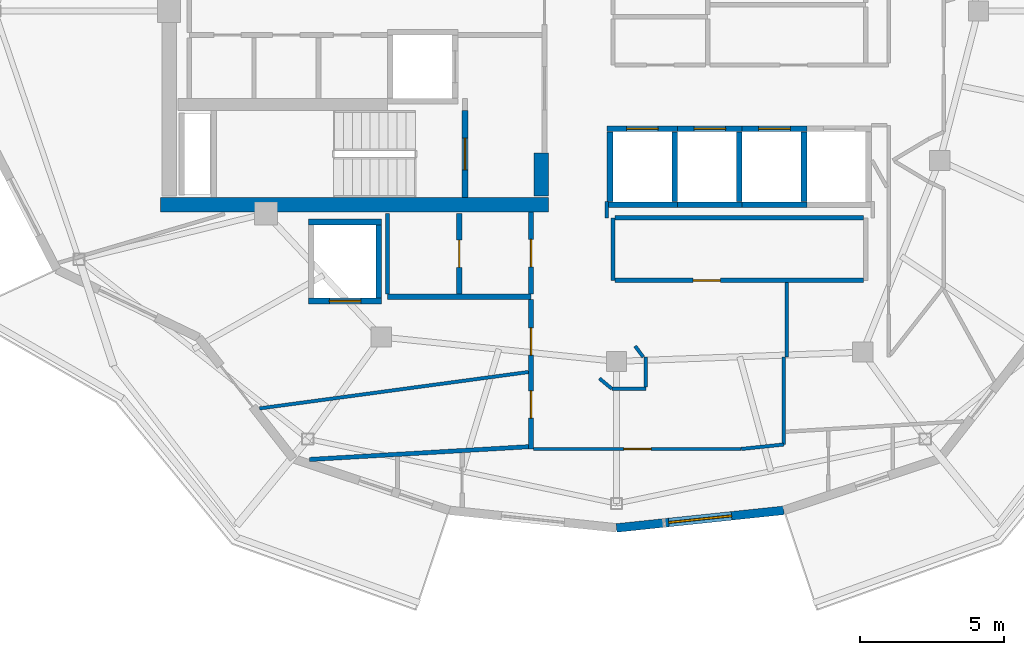
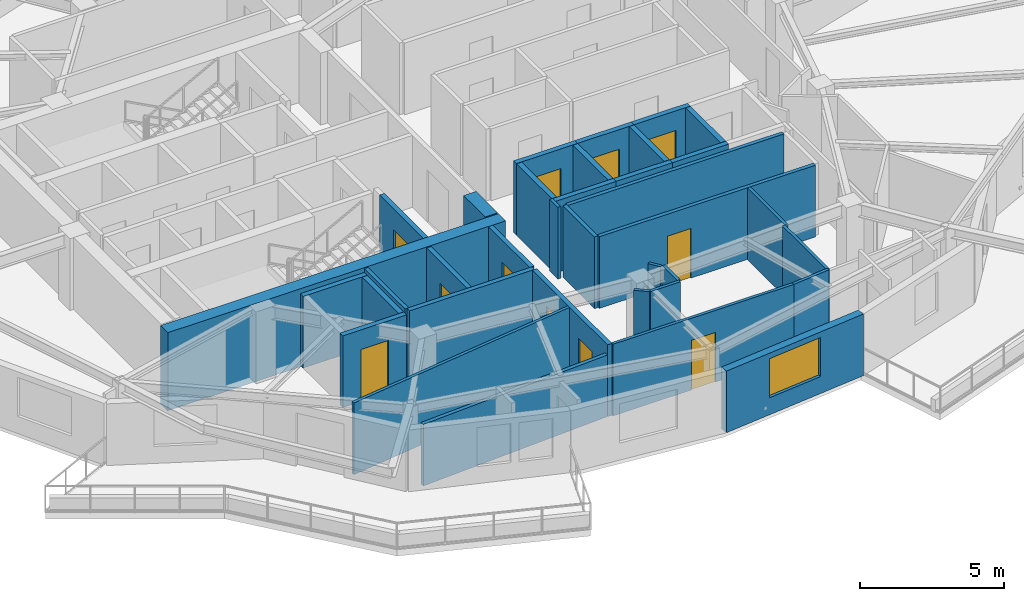
# One storey, part 7 of 14: 36 walls, 11 doors, 1 window, 12 openings.
"""IFC4 building model written with IfcOpenShell, lengths in metres."""

from ifc_helpers import new_model, si_unit, direction, frame, frame_2d, origin, place, context, subcontext, project, spatial, rectangle, extrude, material, layer, layer_set, type_object, element, fill, save


model = new_model("IFC4")

# Units and contexts
model_context = context("Model", 3, precision=1e-05, world=origin(), true_north=direction((0.0, 1.0)))
body_context = subcontext(model_context, "Body", "Model", "MODEL_VIEW")
ifc_project = project(units=[si_unit("LENGTHUNIT", "METRE"), si_unit("AREAUNIT", "SQUARE_METRE"), si_unit("VOLUMEUNIT", "CUBIC_METRE"), si_unit("PLANEANGLEUNIT", "RADIAN"), si_unit("MASSUNIT", "GRAM", prefix="KILO")], contexts=[model_context])

# Site, building, storey
site_placement = place(None, origin())
site = spatial("IfcSite", under=ifc_project, at=site_placement, CompositionType="ELEMENT")
building_placement = place(site_placement, origin())
building = spatial("IfcBuilding", under=site, at=building_placement, Name="Kolvaren Gate Tower and Convention Centre", CompositionType="ELEMENT")
storey_placement = place(building_placement, frame((0.0, 0.0, 245.89990234375)))
storey = spatial("IfcBuildingStorey", under=building, at=storey_placement, Name="L66", CompositionType="ELEMENT", Elevation=245.89990234375)

# Wall
ifc_material_1 = material(Name="Autoclaved Aerated Masonry Blockwork Class 4 (4.0 MPa)", Category="masonry")
ifc_layer_1 = layer(ifc_material_1, 0.179931640625)
ifc_layer_set_1 = layer_set([ifc_layer_1], Name="Autoclaved Aerated Masonry Blockwork Class 4 (4.0 MPa)")
wall_type_1 = type_object("IfcWallType", Name="ARCH-WL-COMP-180", PredefinedType="SOLIDWALL", material=ifc_layer_set_1)
wall_1_placement = place(storey_placement, frame((22.14990234375, 17.050048828125, 0.0), z_axis=(0.0, 0.0, 1.0), x_axis=(1.0, 0.0, 0.0)))
element("IfcWall", 1, at=wall_1_placement, inside=storey, type_object=wall_type_1, Name="Interior Partition WL-L66-INT-011", PredefinedType="SOLIDWALL", context=body_context, shape_type="SweptSolid", body=[
    extrude(rectangle(XDim=5.0, YDim=0.179931640625, at=frame_2d((2.5, 0.0))), origin(), (0.0, 0.0, 1.0), 3.030029296875),
])

# Wall, opening, door
wall_2_placement = place(storey_placement, frame((24.64990234375, 17.14208984375, 0.0), z_axis=(0.0, 0.0, 1.0), x_axis=(0.0, 1.0, 0.0)))
wall_2 = element("IfcWall", 2, at=wall_2_placement, inside=storey, type_object=wall_type_1, Name="Interior Partition WL-L66-INT-013", PredefinedType="SOLIDWALL", context=body_context, shape_type="SweptSolid", body=[
    extrude(rectangle(XDim=2.807861328125, YDim=0.179931640625, at=frame_2d((1.40380859375, 0.0))), origin(), (0.0, 0.0, 1.0), 3.030029296875),
])
opening_1_placement = place(wall_2_placement, frame((0.928955078125, 0.0, 0.0)))
opening_1 = element("IfcOpeningElement", 3, at=opening_1_placement, cuts=wall_2, Name="Opening DR-01", PredefinedType="OPENING", context=body_context, shape_type="SweptSolid", body=[
    extrude(rectangle(XDim=0.949951171875, YDim=2.10009765625, at=frame_2d((0.47509765625, 1.050048828125))), frame((0.0, 0.099853515625, 0.0), z_axis=(0.0, -1.0, 0.0), x_axis=(1.0, 0.0, 0.0)), (0.0, 0.0, 1.0), 0.199951171875),
])
ifc_material_2 = material(Name="Painted Architectural Steelwork ASTM A500 Grade C 345 MPa", Category="steel")
door_type_1 = type_object("IfcDoorType", Name="ARCH-DR-RISER-950", OperationType="SINGLE_SWING_RIGHT", PredefinedType="DOOR", material=ifc_material_2)
door_1_placement = place(opening_1_placement, origin())
door_1 = element("IfcDoor", 4, at=door_1_placement, inside=storey, type_object=door_type_1, Name="West Valet Store Door", OperationType="SINGLE_SWING_RIGHT", OverallHeight=2.10009765625, OverallWidth=0.949951171875, PredefinedType="DOOR", context=body_context, shape_type="SweptSolid", body=[
    extrude(rectangle(XDim=0.949951171875, YDim=2.10009765625, at=frame_2d((0.47509765625, 1.050048828125))), frame((0.0, 0.02490234375, 0.0), z_axis=(0.0, -1.0, 0.0), x_axis=(1.0, 0.0, 0.0)), (0.0, 0.0, 1.0), 0.050048828125),
])
fill(opening_1, door_1)

# Wall, openings, doors
wall_3_placement = place(storey_placement, frame((27.14990234375, 11.75, 0.0), z_axis=(0.0, 0.0, 1.0), x_axis=(0.0, 1.0, 0.0)))
wall_3 = element("IfcWall", 5, at=wall_3_placement, inside=storey, type_object=wall_type_1, Name="Interior Partition WL-L66-INT-014", PredefinedType="SOLIDWALL", context=body_context, shape_type="SweptSolid", body=[
    extrude(rectangle(XDim=5.2080078125, YDim=0.179931640625, at=frame_2d((2.60400390625, 0.0))), origin(), (0.0, 0.0, 1.0), 3.030029296875),
])
opening_2_placement = place(wall_3_placement, frame((3.268798828125, 0.0, 0.0)))
opening_2 = element("IfcOpeningElement", 6, at=opening_2_placement, cuts=wall_3, Name="Opening DR-01", PredefinedType="OPENING", context=body_context, shape_type="SweptSolid", body=[
    extrude(rectangle(XDim=0.949951171875, YDim=2.10009765625, at=frame_2d((0.47509765625, 1.050048828125))), frame((0.0, 0.099853515625, 0.0), z_axis=(0.0, -1.0, 0.0), x_axis=(1.0, 0.0, 0.0)), (0.0, 0.0, 1.0), 0.199951171875),
])
opening_3_placement = place(wall_3_placement, frame((1.0771484375, 0.0, 0.0)))
opening_3 = element("IfcOpeningElement", 7, at=opening_3_placement, cuts=wall_3, Name="Opening DR-01", PredefinedType="OPENING", context=body_context, shape_type="SweptSolid", body=[
    extrude(rectangle(XDim=0.949951171875, YDim=2.10009765625, at=frame_2d((0.47509765625, 1.050048828125))), frame((0.0, 0.099853515625, 0.0), z_axis=(0.0, -1.0, 0.0), x_axis=(1.0, 0.0, 0.0)), (0.0, 0.0, 1.0), 0.199951171875),
])
door_2_placement = place(opening_2_placement, origin())
door_2 = element("IfcDoor", 8, at=door_2_placement, inside=storey, type_object=door_type_1, Name="Resident Private Study Door", OperationType="SINGLE_SWING_LEFT", OverallHeight=2.10009765625, OverallWidth=0.949951171875, PredefinedType="DOOR", context=body_context, shape_type="SweptSolid", body=[
    extrude(rectangle(XDim=0.949951171875, YDim=2.10009765625, at=frame_2d((0.47509765625, 1.050048828125))), frame((0.0, 0.02490234375, 0.0), z_axis=(0.0, -1.0, 0.0), x_axis=(1.0, 0.0, 0.0)), (0.0, 0.0, 1.0), 0.050048828125),
])
fill(opening_2, door_2)
door_3_placement = place(opening_3_placement, origin())
door_3 = element("IfcDoor", 9, at=door_3_placement, inside=storey, type_object=door_type_1, Name="Resident Sommelier Tasting Pantry Door", OperationType="SINGLE_SWING_RIGHT", OverallHeight=2.10009765625, OverallWidth=0.949951171875, PredefinedType="DOOR", context=body_context, shape_type="SweptSolid", body=[
    extrude(rectangle(XDim=0.949951171875, YDim=2.10009765625, at=frame_2d((0.47509765625, 1.050048828125))), frame((0.0, 0.02490234375, 0.0), z_axis=(0.0, -1.0, 0.0), x_axis=(1.0, 0.0, 0.0)), (0.0, 0.0, 1.0), 0.050048828125),
])
fill(opening_3, door_3)

# Wall, opening, door
wall_4_placement = place(storey_placement, frame((27.14990234375, 17.14208984375, 0.0), z_axis=(0.0, 0.0, 1.0), x_axis=(0.0, 1.0, 0.0)))
wall_4 = element("IfcWall", 10, at=wall_4_placement, inside=storey, type_object=wall_type_1, Name="Interior Partition WL-L66-INT-014 (2)", PredefinedType="SOLIDWALL", context=body_context, shape_type="SweptSolid", body=[
    extrude(rectangle(XDim=2.85595703125, YDim=0.179931640625, at=frame_2d((1.427978515625, 0.0))), origin(), (0.0, 0.0, 1.0), 3.030029296875),
])
opening_4_placement = place(wall_4_placement, frame((0.952880859375, 0.0, 0.0)))
opening_4 = element("IfcOpeningElement", 11, at=opening_4_placement, cuts=wall_4, Name="Opening DR-01", PredefinedType="OPENING", context=body_context, shape_type="SweptSolid", body=[
    extrude(rectangle(XDim=0.949951171875, YDim=2.10009765625, at=frame_2d((0.47509765625, 1.050048828125))), frame((0.0, 0.099853515625, 0.0), z_axis=(0.0, -1.0, 0.0), x_axis=(1.0, 0.0, 0.0)), (0.0, 0.0, 1.0), 0.199951171875),
])
door_4_placement = place(opening_4_placement, origin())
door_4 = element("IfcDoor", 12, at=door_4_placement, inside=storey, type_object=door_type_1, Name="Metering Switch Room Door", OperationType="SINGLE_SWING_RIGHT", OverallHeight=2.10009765625, OverallWidth=0.949951171875, PredefinedType="DOOR", context=body_context, shape_type="SweptSolid", body=[
    extrude(rectangle(XDim=0.949951171875, YDim=2.10009765625, at=frame_2d((0.47509765625, 1.050048828125))), frame((0.0, 0.02490234375, 0.0), z_axis=(0.0, -1.0, 0.0), x_axis=(1.0, 0.0, 0.0)), (0.0, 0.0, 1.0), 0.050048828125),
])
fill(opening_4, door_4)

# Walls
ifc_material_3 = material(Name="Fire-Rated Acoustic Gypsum Stud Partition", Category="gypsum")
ifc_layer_2 = layer(ifc_material_3, 0.1201171875)
ifc_layer_set_2 = layer_set([ifc_layer_2], Name="Fire-Rated Acoustic Gypsum Stud Partition")
wall_type_2 = type_object("IfcWallType", Name="ARCH-WL-PART-120", PredefinedType="PARTITIONING", material=ifc_layer_set_2)
wall_5_placement = place(storey_placement, frame((29.780029296875, 19.800048828125, 0.0), z_axis=(0.0, 0.0, 1.0), x_axis=(0.0, 1.0, 0.0)))
element("IfcWall", 13, at=wall_5_placement, inside=storey, type_object=wall_type_2, Name="Interior Partition WL-L66-INT-060", PredefinedType="PARTITIONING", context=body_context, shape_type="SweptSolid", body=[
    extrude(rectangle(XDim=0.56005859375, YDim=0.1201171875, at=frame_2d((0.280029296875, 0.0))), origin(), (0.0, 0.0, 1.0), 3.030029296875),
])
wall_6_placement = place(storey_placement, frame((36.050048828125, 14.949951171875, 0.0), z_axis=(0.0, 0.0, 1.0), x_axis=(0.0, 1.0, 0.0)))
element("IfcWall", 14, at=wall_6_placement, inside=storey, type_object=wall_type_2, Name="Interior Partition WL-L66-INT-061", PredefinedType="PARTITIONING", context=body_context, shape_type="SweptSolid", body=[
    extrude(rectangle(XDim=2.593017578125, YDim=0.1201171875, at=frame_2d((1.29638671875, 0.0))), origin(), (0.0, 0.0, 1.0), 3.030029296875),
])
wall_7_placement = place(storey_placement, frame((35.949951171875, 11.906005859375, 0.0), z_axis=(0.0, 0.0, 1.0), x_axis=(0.0, 1.0, 0.0)))
element("IfcWall", 15, at=wall_7_placement, inside=storey, type_object=wall_type_2, Name="Interior Partition WL-L66-INT-062", PredefinedType="PARTITIONING", context=body_context, shape_type="SweptSolid", body=[
    extrude(rectangle(XDim=3.0439453125, YDim=0.1201171875, at=frame_2d((1.52197265625, 0.0))), origin(), (0.0, 0.0, 1.0), 3.030029296875),
])
wall_8_placement = place(storey_placement, frame((34.468017578125, 11.75, 0.0), z_axis=(0.0, 0.0, 1.0), x_axis=(0.994504555135, 0.104693313135, 0.0)))
element("IfcWall", 16, at=wall_8_placement, inside=storey, type_object=wall_type_2, Name="Interior Partition WL-L66-INT-063", PredefinedType="PARTITIONING", context=body_context, shape_type="SweptSolid", body=[
    extrude(rectangle(XDim=1.490234375, YDim=0.1201171875, at=frame_2d((0.7451171875, 0.0))), origin(), (0.0, 0.0, 1.0), 3.030029296875),
])

# Wall, opening, door
wall_9_placement = place(storey_placement, frame((27.241943359375, 11.75, 0.0), z_axis=(0.0, 0.0, 1.0), x_axis=(1.0, 0.0, 0.0)))
wall_9 = element("IfcWall", 17, at=wall_9_placement, inside=storey, type_object=wall_type_2, Name="Interior Partition WL-L66-INT-064", PredefinedType="PARTITIONING", context=body_context, shape_type="SweptSolid", body=[
    extrude(rectangle(XDim=7.22607421875, YDim=0.1201171875, at=frame_2d((3.613037109375, 0.0))), origin(), (0.0, 0.0, 1.0), 3.030029296875),
])
opening_5_placement = place(wall_9_placement, frame((3.137939453125, 0.0, 0.0)))
opening_5 = element("IfcOpeningElement", 18, at=opening_5_placement, cuts=wall_9, Name="Opening DR-01", PredefinedType="OPENING", context=body_context, shape_type="SweptSolid", body=[
    extrude(rectangle(XDim=0.949951171875, YDim=2.10009765625, at=frame_2d((0.47509765625, 1.050048828125))), frame((0.0, 0.070068359375, 0.0), z_axis=(0.0, -1.0, 0.0), x_axis=(1.0, 0.0, 0.0)), (0.0, 0.0, 1.0), 0.14013671875),
])
door_5_placement = place(opening_5_placement, origin())
door_5 = element("IfcDoor", 19, at=door_5_placement, inside=storey, type_object=door_type_1, Name="Studio Apartment (APT-L66-01) Door", OperationType="SINGLE_SWING_LEFT", OverallHeight=2.10009765625, OverallWidth=0.949951171875, PredefinedType="DOOR", context=body_context, shape_type="SweptSolid", body=[
    extrude(rectangle(XDim=0.949951171875, YDim=2.10009765625, at=frame_2d((0.47509765625, 1.050048828125))), frame((0.0, 0.02490234375, 0.0), z_axis=(0.0, -1.0, 0.0), x_axis=(1.0, 0.0, 0.0)), (0.0, 0.0, 1.0), 0.050048828125),
])
fill(opening_5, door_5)

# Walls
wall_10_placement = place(storey_placement, frame((29.9599609375, 13.85009765625, 0.0), z_axis=(0.0, 0.0, 1.0), x_axis=(1.0, 0.0, 0.0)))
element("IfcWall", 20, at=wall_10_placement, inside=storey, type_object=wall_type_2, Name="Interior Partition WL-L66-INT-066", PredefinedType="PARTITIONING", context=body_context, shape_type="SweptSolid", body=[
    extrude(rectangle(XDim=1.18994140625, YDim=0.1201171875, at=frame_2d((0.594970703125, 0.0))), origin(), (0.0, 0.0, 1.0), 3.030029296875),
])
wall_11_placement = place(storey_placement, frame((31.14990234375, 13.912109375, 0.0), z_axis=(0.0, 0.0, 1.0), x_axis=(0.0, 1.0, 0.0)))
element("IfcWall", 21, at=wall_11_placement, inside=storey, type_object=wall_type_2, Name="Interior Partition WL-L66-INT-067", PredefinedType="PARTITIONING", context=body_context, shape_type="SweptSolid", body=[
    extrude(rectangle(XDim=1.037841796875, YDim=0.1201171875, at=frame_2d((0.51904296875, 0.0))), origin(), (0.0, 0.0, 1.0), 3.030029296875),
])
wall_12_placement = place(storey_placement, frame((30.77392578125, 15.3330078125, 0.0), z_axis=(0.0, 0.0, 1.0), x_axis=(0.595814974861, -0.803121731577, 0.0)))
element("IfcWall", 22, at=wall_12_placement, inside=storey, type_object=wall_type_2, Name="Interior Partition WL-L66-INT-068", PredefinedType="PARTITIONING", context=body_context, shape_type="SweptSolid", body=[
    extrude(rectangle(XDim=0.47705078125, YDim=0.1201171875, at=frame_2d((0.238525390625, 0.0))), origin(), (0.0, 0.0, 1.0), 3.030029296875),
])
wall_13_placement = place(storey_placement, frame((29.531005859375, 14.2060546875, 0.0), z_axis=(0.0, 0.0, 1.0), x_axis=(0.7695479554, -0.638589026166, 0.0)))
element("IfcWall", 23, at=wall_13_placement, inside=storey, type_object=wall_type_2, Name="Interior Partition WL-L66-INT-069", PredefinedType="PARTITIONING", context=body_context, shape_type="SweptSolid", body=[
    extrude(rectangle(XDim=0.557373046875, YDim=0.1201171875, at=frame_2d((0.27880859375, 0.0))), origin(), (0.0, 0.0, 1.0), 3.030029296875),
])
wall_14_placement = place(storey_placement, frame((17.697509765625, 13.162109375, 0.0), z_axis=(0.0, 0.0, 1.0), x_axis=(0.990958840374, 0.134166227808, 0.0)))
element("IfcWall", 24, at=wall_14_placement, inside=storey, type_object=wall_type_2, Name="Interior Partition WL-L66-INT-072", PredefinedType="PARTITIONING", context=body_context, shape_type="SweptSolid", body=[
    extrude(rectangle(XDim=9.446044921875, YDim=0.1201171875, at=frame_2d((4.72314453125, 0.0))), origin(), (0.0, 0.0, 1.0), 3.030029296875),
])
ifc_layer_3 = layer(ifc_material_1, 0.199951171875)
ifc_layer_set_3 = layer_set([ifc_layer_3], Name="Autoclaved Aerated Masonry Blockwork Class 4 (4.0 MPa)")
wall_type_3 = type_object("IfcWallType", Name="ARCH-WL-SHAFT-200", PredefinedType="SOLIDWALL", material=ifc_layer_set_3)
wall_15_placement = place(storey_placement, frame((19.39990234375, 19.64990234375, 0.0), z_axis=(0.0, 0.0, 1.0), x_axis=(1.0, 0.0, 0.0)))
element("IfcWall", 25, at=wall_15_placement, inside=storey, type_object=wall_type_3, Name="Elevator SV-01 L66 Fire Shaft Wall N", PredefinedType="SOLIDWALL", context=body_context, shape_type="SweptSolid", body=[
    extrude(rectangle(XDim=2.550048828125, YDim=0.199951171875, at=frame_2d((1.27490234375, 0.0))), origin(), (0.0, 0.0, 1.0), 3.030029296875),
])

# Wall, opening, door
wall_16_placement = place(storey_placement, frame((19.39990234375, 16.89990234375, 0.0), z_axis=(0.0, 0.0, 1.0), x_axis=(1.0, 0.0, 0.0)))
wall_16 = element("IfcWall", 26, at=wall_16_placement, inside=storey, type_object=wall_type_3, Name="Elevator SV-01 L66 Fire Shaft Wall S", PredefinedType="SOLIDWALL", context=body_context, shape_type="SweptSolid", body=[
    extrude(rectangle(XDim=2.550048828125, YDim=0.199951171875, at=frame_2d((1.27490234375, 0.0))), origin(), (0.0, 0.0, 1.0), 3.030029296875),
])
opening_6_placement = place(wall_16_placement, frame((0.72509765625, 0.0, 0.0)))
opening_6 = element("IfcOpeningElement", 27, at=opening_6_placement, cuts=wall_16, Name="Opening LD", PredefinedType="OPENING", context=body_context, shape_type="SweptSolid", body=[
    extrude(rectangle(XDim=1.10009765625, YDim=2.199951171875, at=frame_2d((0.550048828125, 1.10009765625))), frame((0.0, 0.10986328125, 0.0), z_axis=(0.0, -1.0, 0.0), x_axis=(1.0, 0.0, 0.0)), (0.0, 0.0, 1.0), 0.219970703125),
])
ifc_material_4 = material(Name="Brushed Stainless Steel Grade 316L", Category="steel")
door_type_2 = type_object("IfcDoorType", Name="ARCH-DR-LIFT-1100", OperationType="SLIDING_TO_LEFT", PredefinedType="DOOR", material=ifc_material_4)
door_6_placement = place(opening_6_placement, origin())
door_6 = element("IfcDoor", 28, at=door_6_placement, inside=storey, type_object=door_type_2, Name="Elevator SV-01 L66 Sliding Landing Door", OperationType="SLIDING_TO_LEFT", OverallHeight=2.199951171875, OverallWidth=1.10009765625, PredefinedType="DOOR", context=body_context, shape_type="SweptSolid", body=[
    extrude(rectangle(XDim=1.10009765625, YDim=2.199951171875, at=frame_2d((0.550048828125, 1.10009765625))), frame((0.0, 0.02490234375, 0.0), z_axis=(0.0, -1.0, 0.0), x_axis=(1.0, 0.0, 0.0)), (0.0, 0.0, 1.0), 0.050048828125),
])
fill(opening_6, door_6)

# Wall
wall_17_placement = place(storey_placement, frame((21.85009765625, 17.010009765625, 0.0), z_axis=(0.0, 0.0, 1.0), x_axis=(0.0, 1.0, 0.0)))
element("IfcWall", 29, at=wall_17_placement, inside=storey, type_object=wall_type_3, Name="Elevator SV-01 L66 Fire Shaft Wall E", PredefinedType="SOLIDWALL", context=body_context, shape_type="SweptSolid", body=[
    extrude(rectangle(XDim=2.530029296875, YDim=0.199951171875, at=frame_2d((1.26513671875, 0.0))), origin(), (0.0, 0.0, 1.0), 3.030029296875),
])

# Wall, opening, door
wall_18_placement = place(storey_placement, frame((29.800048828125, 22.89990234375, 0.0), z_axis=(0.0, 0.0, 1.0), x_axis=(1.0, 0.0, 0.0)))
wall_18 = element("IfcWall", 30, at=wall_18_placement, inside=storey, type_object=wall_type_3, Name="Elevator PL-09 L66 Fire Shaft Wall N", PredefinedType="SOLIDWALL", context=body_context, shape_type="SweptSolid", body=[
    extrude(rectangle(XDim=2.449951171875, YDim=0.199951171875, at=frame_2d((1.22509765625, 0.0))), origin(), (0.0, 0.0, 1.0), 3.030029296875),
])
opening_7_placement = place(wall_18_placement, frame((0.675048828125, 0.0, 0.0)))
opening_7 = element("IfcOpeningElement", 31, at=opening_7_placement, cuts=wall_18, Name="Opening LD", PredefinedType="OPENING", context=body_context, shape_type="SweptSolid", body=[
    extrude(rectangle(XDim=1.10009765625, YDim=2.199951171875, at=frame_2d((0.550048828125, 1.10009765625))), frame((0.0, 0.10986328125, 0.0), z_axis=(0.0, -1.0, 0.0), x_axis=(1.0, 0.0, 0.0)), (0.0, 0.0, 1.0), 0.219970703125),
])
door_7_placement = place(opening_7_placement, origin())
door_7 = element("IfcDoor", 32, at=door_7_placement, inside=storey, type_object=door_type_2, Name="Elevator PL-09 L66 Sliding Landing Door", OperationType="SLIDING_TO_LEFT", OverallHeight=2.199951171875, OverallWidth=1.10009765625, PredefinedType="DOOR", context=body_context, shape_type="SweptSolid", body=[
    extrude(rectangle(XDim=1.10009765625, YDim=2.199951171875, at=frame_2d((0.550048828125, 1.10009765625))), frame((0.0, 0.02490234375, 0.0), z_axis=(0.0, -1.0, 0.0), x_axis=(1.0, 0.0, 0.0)), (0.0, 0.0, 1.0), 0.050048828125),
])
fill(opening_7, door_7)

# Walls
wall_19_placement = place(storey_placement, frame((29.800048828125, 20.25, 0.0), z_axis=(0.0, 0.0, 1.0), x_axis=(1.0, 0.0, 0.0)))
element("IfcWall", 33, at=wall_19_placement, inside=storey, type_object=wall_type_3, Name="Elevator PL-09 L66 Fire Shaft Wall S", PredefinedType="SOLIDWALL", context=body_context, shape_type="SweptSolid", body=[
    extrude(rectangle(XDim=2.449951171875, YDim=0.199951171875, at=frame_2d((1.22509765625, 0.0))), origin(), (0.0, 0.0, 1.0), 3.030029296875),
])
for number, where, z_axis, x_axis, name in (
    (34, (29.89990234375, 20.360107421875, 0.0), (0.0, 0.0, 1.0), (0.0, 1.0, 0.0), "Elevator PL-09 L66 Fire Shaft Wall W"),
    (35, (32.14990234375, 20.360107421875, 0.0), (0.0, 0.0, 1.0), (0.0, 1.0, 0.0), "Elevator PL-09 L66 Fire Shaft Wall E"),
):
    element("IfcWall", number, at=place(storey_placement, frame(where, z_axis=z_axis, x_axis=x_axis)), inside=storey, type_object=wall_type_3, Name=name, PredefinedType="SOLIDWALL", context=body_context, shape_type="SweptSolid", body=[
        extrude(rectangle(XDim=2.429931640625, YDim=0.199951171875, at=frame_2d((1.21484375, 0.0))), origin(), (0.0, 0.0, 1.0), 3.030029296875),
    ])

# Wall, opening, door
wall_20_placement = place(storey_placement, frame((32.25, 22.89990234375, 0.0), z_axis=(0.0, 0.0, 1.0), x_axis=(1.0, 0.0, 0.0)))
wall_20 = element("IfcWall", 36, at=wall_20_placement, inside=storey, type_object=wall_type_3, Name="Elevator PL-10 L66 Fire Shaft Wall N", PredefinedType="SOLIDWALL", context=body_context, shape_type="SweptSolid", body=[
    extrude(rectangle(XDim=2.25, YDim=0.199951171875, at=frame_2d((1.125, 0.0))), origin(), (0.0, 0.0, 1.0), 3.030029296875),
])
opening_8_placement = place(wall_20_placement, frame((0.574951171875, 0.0, 0.0)))
opening_8 = element("IfcOpeningElement", 37, at=opening_8_placement, cuts=wall_20, Name="Opening LD", PredefinedType="OPENING", context=body_context, shape_type="SweptSolid", body=[
    extrude(rectangle(XDim=1.10009765625, YDim=2.199951171875, at=frame_2d((0.550048828125, 1.10009765625))), frame((0.0, 0.10986328125, 0.0), z_axis=(0.0, -1.0, 0.0), x_axis=(1.0, 0.0, 0.0)), (0.0, 0.0, 1.0), 0.219970703125),
])
door_8_placement = place(opening_8_placement, origin())
door_8 = element("IfcDoor", 38, at=door_8_placement, inside=storey, type_object=door_type_2, Name="Elevator PL-10 L66 Sliding Landing Door", OperationType="SLIDING_TO_LEFT", OverallHeight=2.199951171875, OverallWidth=1.10009765625, PredefinedType="DOOR", context=body_context, shape_type="SweptSolid", body=[
    extrude(rectangle(XDim=1.10009765625, YDim=2.199951171875, at=frame_2d((0.550048828125, 1.10009765625))), frame((0.0, 0.02490234375, 0.0), z_axis=(0.0, -1.0, 0.0), x_axis=(1.0, 0.0, 0.0)), (0.0, 0.0, 1.0), 0.050048828125),
])
fill(opening_8, door_8)

# Walls
wall_21_placement = place(storey_placement, frame((32.25, 20.25, 0.0), z_axis=(0.0, 0.0, 1.0), x_axis=(1.0, 0.0, 0.0)))
element("IfcWall", 39, at=wall_21_placement, inside=storey, type_object=wall_type_3, Name="Elevator PL-10 L66 Fire Shaft Wall S", PredefinedType="SOLIDWALL", context=body_context, shape_type="SweptSolid", body=[
    extrude(rectangle(XDim=2.25, YDim=0.199951171875, at=frame_2d((1.125, 0.0))), origin(), (0.0, 0.0, 1.0), 3.030029296875),
])
wall_22_placement = place(storey_placement, frame((34.39990234375, 20.360107421875, 0.0), z_axis=(0.0, 0.0, 1.0), x_axis=(0.0, 1.0, 0.0)))
element("IfcWall", 40, at=wall_22_placement, inside=storey, type_object=wall_type_3, Name="Elevator PL-10 L66 Fire Shaft Wall E", PredefinedType="SOLIDWALL", context=body_context, shape_type="SweptSolid", body=[
    extrude(rectangle(XDim=2.429931640625, YDim=0.199951171875, at=frame_2d((1.21484375, 0.0))), origin(), (0.0, 0.0, 1.0), 3.030029296875),
])

# Wall, opening, door
wall_23_placement = place(storey_placement, frame((34.5, 22.89990234375, 0.0), z_axis=(0.0, 0.0, 1.0), x_axis=(1.0, 0.0, 0.0)))
wall_23 = element("IfcWall", 41, at=wall_23_placement, inside=storey, type_object=wall_type_3, Name="Elevator PL-11 L66 Fire Shaft Wall N", PredefinedType="SOLIDWALL", context=body_context, shape_type="SweptSolid", body=[
    extrude(rectangle(XDim=2.25, YDim=0.199951171875, at=frame_2d((1.125, 0.0))), origin(), (0.0, 0.0, 1.0), 3.030029296875),
])
opening_9_placement = place(wall_23_placement, frame((0.574951171875, 0.0, 0.0)))
opening_9 = element("IfcOpeningElement", 42, at=opening_9_placement, cuts=wall_23, Name="Opening LD", PredefinedType="OPENING", context=body_context, shape_type="SweptSolid", body=[
    extrude(rectangle(XDim=1.10009765625, YDim=2.199951171875, at=frame_2d((0.550048828125, 1.10009765625))), frame((0.0, 0.10986328125, 0.0), z_axis=(0.0, -1.0, 0.0), x_axis=(1.0, 0.0, 0.0)), (0.0, 0.0, 1.0), 0.219970703125),
])
door_9_placement = place(opening_9_placement, origin())
door_9 = element("IfcDoor", 43, at=door_9_placement, inside=storey, type_object=door_type_2, Name="Elevator PL-11 L66 Sliding Landing Door", OperationType="SLIDING_TO_LEFT", OverallHeight=2.199951171875, OverallWidth=1.10009765625, PredefinedType="DOOR", context=body_context, shape_type="SweptSolid", body=[
    extrude(rectangle(XDim=1.10009765625, YDim=2.199951171875, at=frame_2d((0.550048828125, 1.10009765625))), frame((0.0, 0.02490234375, 0.0), z_axis=(0.0, -1.0, 0.0), x_axis=(1.0, 0.0, 0.0)), (0.0, 0.0, 1.0), 0.050048828125),
])
fill(opening_9, door_9)

# Walls
wall_24_placement = place(storey_placement, frame((34.5, 20.25, 0.0), z_axis=(0.0, 0.0, 1.0), x_axis=(1.0, 0.0, 0.0)))
element("IfcWall", 44, at=wall_24_placement, inside=storey, type_object=wall_type_3, Name="Elevator PL-11 L66 Fire Shaft Wall S", PredefinedType="SOLIDWALL", context=body_context, shape_type="SweptSolid", body=[
    extrude(rectangle(XDim=2.25, YDim=0.199951171875, at=frame_2d((1.125, 0.0))), origin(), (0.0, 0.0, 1.0), 3.030029296875),
])
wall_25_placement = place(storey_placement, frame((36.64990234375, 20.360107421875, 0.0), z_axis=(0.0, 0.0, 1.0), x_axis=(0.0, 1.0, 0.0)))
element("IfcWall", 45, at=wall_25_placement, inside=storey, type_object=wall_type_3, Name="Elevator PL-11 L66 Fire Shaft Wall E", PredefinedType="SOLIDWALL", context=body_context, shape_type="SweptSolid", body=[
    extrude(rectangle(XDim=2.429931640625, YDim=0.199951171875, at=frame_2d((1.21484375, 0.0))), origin(), (0.0, 0.0, 1.0), 3.030029296875),
])

# Wall, opening, window
ifc_material_5 = material(Name="Piedmont Cream Honed Limestone Cladding", Category="masonry")
ifc_layer_4 = layer(ifc_material_5, 0.300048828125)
ifc_layer_set_4 = layer_set([ifc_layer_4], Name="Piedmont Cream Honed Limestone Cladding")
wall_type_4 = type_object("IfcWallType", Name="ARCH-WL-STONE-300", PredefinedType="SOLIDWALL", material=ifc_layer_set_4)
wall_26_placement = place(storey_placement, frame((30.125, 9.0, 0.0), z_axis=(0.0, 0.0, 1.0), x_axis=(0.994500425783, 0.10473253132, 0.0)))
wall_26 = element("IfcWall", 46, at=wall_26_placement, inside=storey, type_object=wall_type_4, Name="Tower L66 Honed Stone Spandrel Wall EW-18", PredefinedType="SOLIDWALL", context=body_context, shape_type="SweptSolid", body=[
    extrude(rectangle(XDim=5.855712890625, YDim=0.300048828125, at=frame_2d((2.927734375, 0.0))), origin(), (0.0, 0.0, 1.0), 2.60498046875),
])
opening_10_placement = place(wall_26_placement, frame((1.827880859375, 0.0, 0.719970703125)))
opening_10 = element("IfcOpeningElement", 47, at=opening_10_placement, cuts=wall_26, Name="Opening W-03", PredefinedType="OPENING", context=body_context, shape_type="SweptSolid", body=[
    extrude(rectangle(XDim=2.199951171875, YDim=1.64990234375, at=frame_2d((1.10009765625, 0.824951171875))), frame((0.0, 0.159912109375, 0.0), z_axis=(0.0, -1.0, 0.0), x_axis=(1.0, 0.0, 0.0)), (0.0, 0.0, 1.0), 0.320068359375),
])
ifc_material_6 = material(Name="Low-E Triple Insulated Glazing Unit 44 mm", Category="glass")
window_type = type_object("IfcWindowType", Name="ARCH-WN-RES-2200", PartitioningType="SINGLE_PANEL", PredefinedType="WINDOW", material=ifc_material_6)
window_placement = place(opening_10_placement, origin())
window = element("IfcWindow", 48, at=window_placement, inside=storey, type_object=window_type, Name="Tower L66 Punched Stone Facade Window W-18", OverallHeight=1.64990234375, OverallWidth=2.199951171875, PartitioningType="SINGLE_PANEL", PredefinedType="WINDOW", context=body_context, shape_type="SweptSolid", body=[
    extrude(rectangle(XDim=2.199951171875, YDim=1.64990234375, at=frame_2d((1.10009765625, 0.824951171875))), frame((0.0, 0.030029296875, 0.0), z_axis=(0.0, -1.0, 0.0), x_axis=(1.0, 0.0, 0.0)), (0.0, 0.0, 1.0), 0.06005859375),
])
fill(opening_10, window)

# Walls
ifc_material_7 = material(Name="Moisture-Resistant Cement-Board Acoustic Partition", Category="gypsum")
ifc_layer_5 = layer(ifc_material_7, 0.14990234375)
ifc_layer_set_5 = layer_set([ifc_layer_5], Name="Moisture-Resistant Cement-Board Acoustic Partition")
wall_type_5 = type_object("IfcWallType", Name="ARCH-WL-WET-150", PredefinedType="PARTITIONING", material=ifc_layer_set_5)
wall_27_placement = place(storey_placement, frame((22.14990234375, 17.14208984375, 0.0), z_axis=(0.0, 0.0, 1.0), x_axis=(0.0, 1.0, 0.0)))
element("IfcWall", 49, at=wall_27_placement, inside=storey, type_object=wall_type_5, Name="Interior Partition WL-L66-INT-012", PredefinedType="PARTITIONING", context=body_context, shape_type="SweptSolid", body=[
    extrude(rectangle(XDim=2.807861328125, YDim=0.14990234375, at=frame_2d((1.40380859375, 0.0))), origin(), (0.0, 0.0, 1.0), 3.030029296875),
])
wall_28_placement = place(storey_placement, frame((30.0, 17.6201171875, 0.0), z_axis=(0.0, 0.0, 1.0), x_axis=(0.0, 1.0, 0.0)))
element("IfcWall", 50, at=wall_28_placement, inside=storey, type_object=wall_type_5, Name="Interior Partition WL-L66-INT-017", PredefinedType="PARTITIONING", context=body_context, shape_type="SweptSolid", body=[
    extrude(rectangle(XDim=2.179931640625, YDim=0.14990234375, at=frame_2d((1.08984375, 0.0))), origin(), (0.0, 0.0, 1.0), 3.030029296875),
])

# Wall, opening, door
wall_29_placement = place(storey_placement, frame((30.076904296875, 17.6201171875, 0.0), z_axis=(0.0, 0.0, 1.0), x_axis=(1.0, 0.0, 0.0)))
wall_29 = element("IfcWall", 51, at=wall_29_placement, inside=storey, type_object=wall_type_5, Name="Interior Partition WL-L66-INT-031", PredefinedType="PARTITIONING", context=body_context, shape_type="SweptSolid", body=[
    extrude(rectangle(XDim=8.64599609375, YDim=0.14990234375, at=frame_2d((4.322998046875, 0.0))), origin(), (0.0, 0.0, 1.0), 3.030029296875),
])
opening_11_placement = place(wall_29_placement, frame((2.716552734375, 0.0, 0.0)))
opening_11 = element("IfcOpeningElement", 52, at=opening_11_placement, cuts=wall_29, Name="Opening DR-01", PredefinedType="OPENING", context=body_context, shape_type="SweptSolid", body=[
    extrude(rectangle(XDim=0.949951171875, YDim=2.10009765625, at=frame_2d((0.47509765625, 1.050048828125))), frame((0.0, 0.0849609375, 0.0), z_axis=(0.0, -1.0, 0.0), x_axis=(1.0, 0.0, 0.0)), (0.0, 0.0, 1.0), 0.169921875),
])
door_10_placement = place(opening_11_placement, origin())
door_10 = element("IfcDoor", 53, at=door_10_placement, inside=storey, type_object=door_type_1, Name="Resident Luggage Store Door", OperationType="SINGLE_SWING_LEFT", OverallHeight=2.10009765625, OverallWidth=0.949951171875, PredefinedType="DOOR", context=body_context, shape_type="SweptSolid", body=[
    extrude(rectangle(XDim=0.949951171875, YDim=2.10009765625, at=frame_2d((0.47509765625, 1.050048828125))), frame((0.0, 0.02490234375, 0.0), z_axis=(0.0, -1.0, 0.0), x_axis=(1.0, 0.0, 0.0)), (0.0, 0.0, 1.0), 0.050048828125),
])
fill(opening_11, door_10)

# Walls
wall_30_placement = place(storey_placement, frame((30.076904296875, 19.800048828125, 0.0), z_axis=(0.0, 0.0, 1.0), x_axis=(1.0, 0.0, 0.0)))
element("IfcWall", 54, at=wall_30_placement, inside=storey, type_object=wall_type_5, Name="Interior Partition WL-L66-INT-032", PredefinedType="PARTITIONING", context=body_context, shape_type="SweptSolid", body=[
    extrude(rectangle(XDim=8.64599609375, YDim=0.14990234375, at=frame_2d((4.322998046875, 0.0))), origin(), (0.0, 0.0, 1.0), 3.030029296875),
])
wall_31_placement = place(storey_placement, frame((19.440185546875, 11.38427734375, 0.0), z_axis=(0.0, 0.0, 1.0), x_axis=(0.998303266402, 0.058228758288, 0.0)))
element("IfcWall", 55, at=wall_31_placement, inside=storey, type_object=wall_type_5, Name="Interior Partition WL-L66-INT-073", PredefinedType="PARTITIONING", context=body_context, shape_type="SweptSolid", body=[
    extrude(rectangle(XDim=7.630859375, YDim=0.14990234375, at=frame_2d((3.8154296875, 0.0))), origin(), (0.0, 0.0, 1.0), 2.60498046875),
])
ifc_material_8 = material(Name="Concrete C50/60", Category="concrete")
ifc_layer_6 = layer(ifc_material_8, 0.5)
ifc_layer_set_6 = layer_set([ifc_layer_6], Name="Concrete C50/60")
wall_type_6 = type_object("IfcWallType", Name="STR-WL-CORE-500", PredefinedType="SHEAR", material=ifc_layer_set_6)
wall_32_placement = place(storey_placement, frame((14.25, 20.25, -0.27001953125), z_axis=(0.0, 0.0, 1.0), x_axis=(1.0, 0.0, 0.0)))
element("IfcWall", 56, at=wall_32_placement, inside=storey, type_object=wall_type_6, Name="Tower L66 Offset Core Shear Wall S", PredefinedType="SHEAR", context=body_context, shape_type="SweptSolid", body=[
    extrude(rectangle(XDim=13.5, YDim=0.5, at=frame_2d((6.75, 0.0))), origin(), (0.0, 0.0, 1.0), 3.300048828125),
])
wall_33_placement = place(storey_placement, frame((27.5, 20.550048828125, -0.27001953125), z_axis=(0.0, 0.0, 1.0), x_axis=(0.0, 1.0, 0.0)))
element("IfcWall", 57, at=wall_33_placement, inside=storey, type_object=wall_type_6, Name="Tower L66 Offset Core Shear Wall ES", PredefinedType="SHEAR", context=body_context, shape_type="SweptSolid", body=[
    extrude(rectangle(XDim=1.5, YDim=0.5, at=frame_2d((0.75, 0.0))), origin(), (0.0, 0.0, 1.0), 3.300048828125),
])

# Wall, opening, door
ifc_layer_7 = layer(ifc_material_8, 0.199951171875)
ifc_layer_set_7 = layer_set([ifc_layer_7], Name="Concrete C50/60")
wall_type_7 = type_object("IfcWallType", Name="STR-WL-SHAFT-200", PredefinedType="SHEAR", material=ifc_layer_set_7)
wall_34_placement = place(storey_placement, frame((24.85009765625, 20.501953125, -0.27001953125), z_axis=(0.0, 0.0, 1.0), x_axis=(0.0, 1.0, 0.0)))
wall_34 = element("IfcWall", 58, at=wall_34_placement, inside=storey, type_object=wall_type_7, Name="Tower South Exit Stair ST-T2 L66 Structural Shear Enclosure Wall NEAR", PredefinedType="SHEAR", context=body_context, shape_type="SweptSolid", body=[
    extrude(rectangle(XDim=3.0380859375, YDim=0.199951171875, at=frame_2d((1.51904296875, 0.0))), origin(), (0.0, 0.0, 1.0), 3.300048828125),
])
opening_12_placement = place(wall_34_placement, frame((0.968994140625, 0.0, 0.27001953125)))
opening_12 = element("IfcOpeningElement", 59, at=opening_12_placement, cuts=wall_34, Name="Opening DS-01", PredefinedType="OPENING", context=body_context, shape_type="SweptSolid", body=[
    extrude(rectangle(XDim=1.10009765625, YDim=2.14990234375, at=frame_2d((0.550048828125, 1.074951171875))), frame((0.0, 0.10986328125, 0.0), z_axis=(0.0, -1.0, 0.0), x_axis=(1.0, 0.0, 0.0)), (0.0, 0.0, 1.0), 0.219970703125),
])
door_type_3 = type_object("IfcDoorType", Name="ARCH-DR-STAIR-1100", OperationType="SINGLE_SWING_LEFT", PredefinedType="DOOR", material=ifc_material_2)
door_11_placement = place(opening_12_placement, origin())
door_11 = element("IfcDoor", 60, at=door_11_placement, inside=storey, type_object=door_type_3, Name="Tower South Exit Stair ST-T2 L66 Fire Exit Stair Door", OperationType="SINGLE_SWING_RIGHT", OverallHeight=2.14990234375, OverallWidth=1.10009765625, PredefinedType="DOOR", context=body_context, shape_type="SweptSolid", body=[
    extrude(rectangle(XDim=1.10009765625, YDim=2.14990234375, at=frame_2d((0.550048828125, 1.074951171875))), frame((0.0, 0.02490234375, 0.0), z_axis=(0.0, -1.0, 0.0), x_axis=(1.0, 0.0, 0.0)), (0.0, 0.0, 1.0), 0.050048828125),
])
fill(opening_12, door_11)

save(model, "model.ifc")
